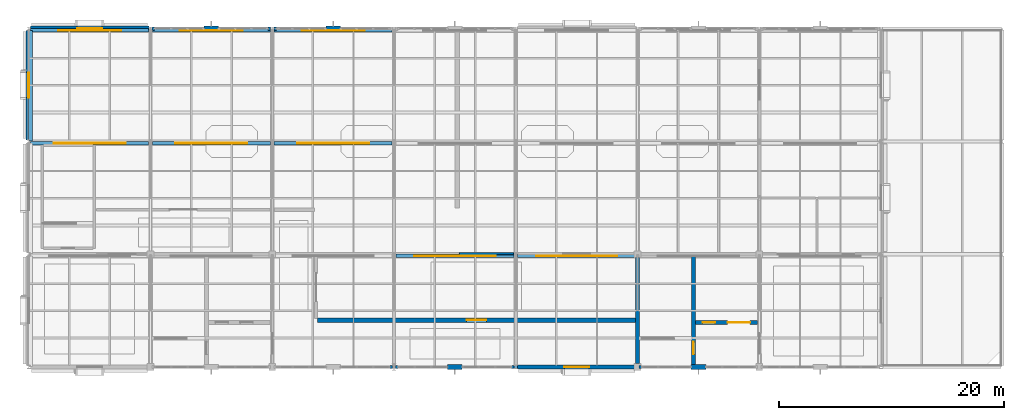
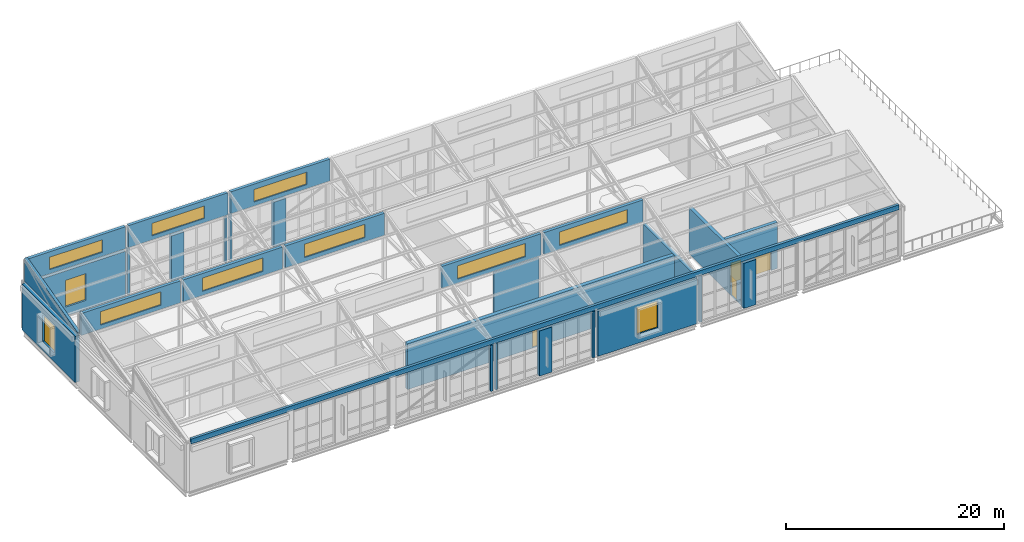
# One storey, part 40 of 49: 29 walls, 11 windows, 4 doors, 15 openings.
"""IFC4 building model written with IfcOpenShell, lengths in metres."""

from ifc_helpers import new_model, si_unit, direction, frame, frame_2d, origin, place, context, subcontext, project, spatial, polyline, rectangle, outline, extrude, material, layer, layer_set, type_object, element, fill, save


model = new_model("IFC4")

# Units and contexts
model_context = context("Model", 3, precision=1e-05, world=origin(), true_north=direction((0.0, 1.0)))
body_context = subcontext(model_context, "Body", "Model", "MODEL_VIEW")
ifc_project = project(units=[si_unit("LENGTHUNIT", "METRE"), si_unit("AREAUNIT", "SQUARE_METRE"), si_unit("VOLUMEUNIT", "CUBIC_METRE"), si_unit("PLANEANGLEUNIT", "RADIAN"), si_unit("MASSUNIT", "GRAM", prefix="KILO")], contexts=[model_context])

# Site, building, storey
site_placement = place(None, origin())
site = spatial("IfcSite", under=ifc_project, at=site_placement, CompositionType="ELEMENT")
building_placement = place(site_placement, origin())
building = spatial("IfcBuilding", under=site, at=building_placement, Name="Tasgan Crest Museum", CompositionType="ELEMENT")
storey_placement = place(building_placement, frame((0.0, 0.0, 28.800048828125)))
storey = spatial("IfcBuildingStorey", under=building, at=storey_placement, Name="L05", CompositionType="ELEMENT", Elevation=28.800048828125)

# Wall
ifc_material_1 = material(Name="Concrete C40/50", Category="concrete")
ifc_layer_1 = layer(ifc_material_1, 0.35009765625, Name="WL-CORE-350")
ifc_layer_set_1 = layer_set([ifc_layer_1], Name="Concrete C40/50")
wall_type_1 = type_object("IfcWallType", Name="WL-CORE-350", PredefinedType="SHEAR", material=ifc_layer_set_1)
wall_1_placement = place(storey_placement, frame((54.0, 82.300048828125, 0.0), z_axis=(0.0, 0.0, 1.0), x_axis=(0.0, 1.0, 0.0)))
element("IfcWall", 1, at=wall_1_placement, inside=storey, type_object=wall_type_1, Name="North-Central Sawtooth Core west shear wall L05", PredefinedType="SHEAR", context=body_context, shape_type="SweptSolid", body=[
    extrude(rectangle(XDim=9.39990234375, YDim=0.35009765625, at=frame_2d((4.699951171875, 0.0))), origin(), (0.0, 0.0, 1.0), 5.159912109375),
])

# Wall, opening, door
wall_2_placement = place(storey_placement, frame((58.949951171875, 82.219970703125, 0.0), z_axis=(0.0, 0.0, 1.0), x_axis=(0.0, 1.0, 0.0)))
wall_2 = element("IfcWall", 2, at=wall_2_placement, inside=storey, type_object=wall_type_1, Name="North-Central Sawtooth Core stair-lobby shear wall L05", PredefinedType="SHEAR", context=body_context, shape_type="SweptSolid", body=[
    extrude(rectangle(XDim=9.60498046875, YDim=0.35009765625, at=frame_2d((4.802490234375, 0.0))), origin(), (0.0, 0.0, 1.0), 5.159912109375),
])
opening_1_placement = place(wall_2_placement, frame((0.89990234375, 0.0, 0.0)))
opening_1 = element("IfcOpeningElement", 3, at=opening_1_placement, cuts=wall_2, Name="Opening SD-NC-L05", PredefinedType="OPENING", context=body_context, shape_type="SweptSolid", body=[
    extrude(rectangle(XDim=1.10009765625, YDim=2.199951171875, at=frame_2d((0.550048828125, 1.10009765625))), frame((0.0, 0.18505859375, 0.0), z_axis=(0.0, -1.0, 0.0), x_axis=(1.0, 0.0, 0.0)), (0.0, 0.0, 1.0), 0.3701171875),
])
ifc_material_2 = material(Name="Fire-Rated Steel Door", Category="steel")
door_type_1 = type_object("IfcDoorType", Name="DR-FD1-1100", OperationType="NOTDEFINED", PredefinedType="DOOR", material=ifc_material_2)
door_1_placement = place(opening_1_placement, origin())
door_1 = element("IfcDoor", 4, at=door_1_placement, inside=storey, type_object=door_type_1, Name="North-Central Sawtooth Core stair door L05", OperationType="SINGLE_SWING_RIGHT", OverallHeight=2.199951171875, OverallWidth=1.10009765625, PredefinedType="DOOR", context=body_context, shape_type="SweptSolid", body=[
    extrude(rectangle(XDim=1.10009765625, YDim=2.199951171875, at=frame_2d((0.550048828125, 1.10009765625))), frame((0.0, 0.02490234375, 0.0), z_axis=(0.0, -1.0, 0.0), x_axis=(1.0, 0.0, 0.0)), (0.0, 0.0, 1.0), 0.050048828125),
])
fill(opening_1, door_1)

# Wall, openings, doors
wall_3_placement = place(storey_placement, frame((59.1298828125, 85.949951171875, 0.0), z_axis=(0.0, 0.0, 1.0), x_axis=(1.0, 0.0, 0.0)))
wall_3 = element("IfcWall", 5, at=wall_3_placement, inside=storey, type_object=wall_type_1, Name="North-Central Sawtooth Core lift-shaft wall L05", PredefinedType="SHEAR", context=body_context, shape_type="SweptSolid", body=[
    extrude(rectangle(XDim=5.490234375, YDim=0.35009765625, at=frame_2d((2.7451171875, 0.0))), origin(), (0.0, 0.0, 1.0), 5.159912109375),
])
opening_2_placement = place(wall_3_placement, frame((0.64990234375, 0.0, 0.0)))
opening_2 = element("IfcOpeningElement", 6, at=opening_2_placement, cuts=wall_3, Name="Opening LD-FL2", PredefinedType="OPENING", context=body_context, shape_type="SweptSolid", body=[
    extrude(rectangle(XDim=1.10009765625, YDim=2.199951171875, at=frame_2d((0.550048828125, 1.10009765625))), frame((0.0, 0.18505859375, 0.0), z_axis=(0.0, -1.0, 0.0), x_axis=(1.0, 0.0, 0.0)), (0.0, 0.0, 1.0), 0.3701171875),
])
opening_3_placement = place(wall_3_placement, frame((2.85009765625, 0.0, 0.0)))
opening_3 = element("IfcOpeningElement", 7, at=opening_3_placement, cuts=wall_3, Name="Opening LD-GL1", PredefinedType="OPENING", context=body_context, shape_type="SweptSolid", body=[
    extrude(rectangle(XDim=2.0, YDim=2.5, at=frame_2d((1.0, 1.25))), frame((0.0, 0.18505859375, 0.0), z_axis=(0.0, -1.0, 0.0), x_axis=(1.0, 0.0, 0.0)), (0.0, 0.0, 1.0), 0.3701171875),
])
ifc_material_3 = material(Name="Stainless Steel Firefighting Lift Landing Door", Category="steel")
door_type_2 = type_object("IfcDoorType", Name="LD-FF-1100", OperationType="NOTDEFINED", PredefinedType="DOOR", material=ifc_material_3)
door_2_placement = place(opening_2_placement, origin())
door_2 = element("IfcDoor", 8, at=door_2_placement, inside=storey, type_object=door_type_2, Name="Firefighting lift landing door FL2 L05", OperationType="DOUBLE_DOOR_SLIDING", OverallHeight=2.199951171875, OverallWidth=1.10009765625, PredefinedType="DOOR", context=body_context, shape_type="SweptSolid", body=[
    extrude(rectangle(XDim=1.10009765625, YDim=2.199951171875, at=frame_2d((0.550048828125, 1.10009765625))), frame((0.0, 0.02490234375, 0.0), z_axis=(0.0, -1.0, 0.0), x_axis=(1.0, 0.0, 0.0)), (0.0, 0.0, 1.0), 0.050048828125),
])
fill(opening_2, door_2)
ifc_material_4 = material(Name="Heavy-Duty Bi-Parting Goods Lift Landing Door")
door_type_3 = type_object("IfcDoorType", Name="LD-GDS-2000", OperationType="NOTDEFINED", PredefinedType="DOOR", material=ifc_material_4)
door_3_placement = place(opening_3_placement, origin())
door_3 = element("IfcDoor", 9, at=door_3_placement, inside=storey, type_object=door_type_3, Name="Lift landing sliding door GL1 L05", OperationType="DOUBLE_DOOR_SLIDING", OverallHeight=2.5, OverallWidth=2.0, PredefinedType="DOOR", context=body_context, shape_type="SweptSolid", body=[
    extrude(rectangle(XDim=2.0, YDim=2.5, at=frame_2d((1.0, 1.25))), frame((0.0, 0.02490234375, 0.0), z_axis=(0.0, -1.0, 0.0), x_axis=(1.0, 0.0, 0.0)), (0.0, 0.0, 1.0), 0.050048828125),
])
fill(opening_3, door_3)

# Wall, opening, window
ifc_material_5 = material(Name="Precast concrete C40/50", Category="concrete")
ifc_layer_2 = layer(ifc_material_5, 0.3798828125, Name="WL-EXT-CANT-380")
ifc_layer_set_2 = layer_set([ifc_layer_2], Name="Precast concrete C40/50")
wall_type_2 = type_object("IfcWallType", Name="WL-EXT-CANT-380", PredefinedType="STANDARD", material=ifc_layer_set_2)
wall_4_placement = place(storey_placement, frame((43.344970703125, 82.0, 0.0), z_axis=(0.0, 0.0, 1.0), x_axis=(1.0, 0.0, 0.0)))
wall_4 = element("IfcWall", 10, at=wall_4_placement, inside=storey, type_object=wall_type_2, Name="Exterior wall L05 (48.6,82.0)", PredefinedType="STANDARD", context=body_context, shape_type="SweptSolid", body=[
    extrude(rectangle(XDim=10.510009765625, YDim=0.3798828125, at=frame_2d((5.2548828125, 0.0))), origin(), (0.0, 0.0, 1.0), 5.0439453125),
])
opening_4_placement = place(wall_4_placement, frame((4.155029296875, 0.0, 1.0)))
opening_4 = element("IfcOpeningElement", 11, at=opening_4_placement, cuts=wall_4, Name="Opening W10", PredefinedType="OPENING", context=body_context, shape_type="SweptSolid", body=[
    extrude(rectangle(XDim=2.199951171875, YDim=3.0, at=frame_2d((1.10009765625, 1.5))), frame((0.0, 0.199951171875, 0.0), z_axis=(0.0, -1.0, 0.0), x_axis=(1.0, 0.0, 0.0)), (0.0, 0.0, 1.0), 0.39990234375),
])
ifc_material_6 = material(Name="Thermally Broken Triple-Glazed Aluminium", Category="aluminium")
window_type_1 = type_object("IfcWindowType", Name="WN-GAL-SAW-2200X3000", PartitioningType="SINGLE_PANEL", PredefinedType="WINDOW", material=ifc_material_6)
window_1_placement = place(opening_4_placement, origin())
window_1 = element("IfcWindow", 12, at=window_1_placement, inside=storey, type_object=window_type_1, Name="Window W10 L05-076", OverallHeight=3.0, OverallWidth=2.199951171875, PartitioningType="SINGLE_PANEL", PredefinedType="WINDOW", context=body_context, shape_type="SweptSolid", body=[
    extrude(rectangle(XDim=2.199951171875, YDim=3.0, at=frame_2d((1.10009765625, 1.5))), frame((0.0, 0.030029296875, 0.0), z_axis=(0.0, -1.0, 0.0), x_axis=(1.0, 0.0, 0.0)), (0.0, 0.0, 1.0), 0.06005859375),
])
fill(opening_4, window_1)

# Walls
ifc_material_7 = material(Name="Precast concrete C40/50", Category="concrete")
ifc_layer_3 = layer(ifc_material_7, 0.320068359375, Name="WL-EXT-CLER-320")
ifc_layer_set_3 = layer_set([ifc_layer_3], Name="Precast concrete C40/50")
wall_type_3 = type_object("IfcWallType", Name="WL-EXT-CLER-320", PredefinedType="STANDARD", material=ifc_layer_set_3)
wall_5_placement = place(storey_placement, frame((21.969970703125, 112.0, 0.0), z_axis=(0.0, 0.0, 1.0), x_axis=(-1.0, 0.0, 0.0)))
element("IfcWall", 13, at=wall_5_placement, inside=storey, type_object=wall_type_3, Name="Curtain wall jamb closure L05 JR", PredefinedType="STANDARD", context=body_context, shape_type="SweptSolid", body=[
    extrude(rectangle(XDim=0.224853515625, YDim=0.300048828125, at=frame_2d((0.1123046875, 0.0))), origin(), (0.0, 0.0, 1.0), 5.159912109375),
])
wall_6_placement = place(storey_placement, frame((21.455078125, 112.0, 0.0), z_axis=(0.0, 0.0, 1.0), x_axis=(-1.0, 0.0, 0.0)))
element("IfcWall", 14, at=wall_6_placement, inside=storey, type_object=wall_type_3, Name="Curtain wall jamb closure L05 JL", PredefinedType="STANDARD", context=body_context, shape_type="SweptSolid", body=[
    extrude(rectangle(XDim=0.22509765625, YDim=0.300048828125, at=frame_2d((0.112548828125, 0.0))), origin(), (0.0, 0.0, 1.0), 5.159912109375),
])
for number, where, z_axis, x_axis, name in (
    (15, (11.169921875, 112.0, 0.0), (0.0, 0.0, 1.0), (-1.0, 0.0, 0.0), "Curtain wall jamb closure L05 JR"),
    (16, (32.030029296875, 82.0, 0.0), (0.0, 0.0, 1.0), (1.0, 0.0, 0.0), "Curtain wall jamb closure L05 JR"),
):
    element("IfcWall", number, at=place(storey_placement, frame(where, z_axis=z_axis, x_axis=x_axis)), inside=storey, type_object=wall_type_3, Name=name, PredefinedType="STANDARD", context=body_context, shape_type="SweptSolid", body=[
        extrude(rectangle(XDim=0.224853515625, YDim=0.300048828125, at=frame_2d((0.1123046875, 0.0))), origin(), (0.0, 0.0, 1.0), 5.159912109375),
    ])
wall_7_placement = place(storey_placement, frame((32.544921875, 82.0, 0.0), z_axis=(0.0, 0.0, 1.0), x_axis=(1.0, 0.0, 0.0)))
element("IfcWall", 17, at=wall_7_placement, inside=storey, type_object=wall_type_3, Name="Curtain wall jamb closure L05 JL", PredefinedType="STANDARD", context=body_context, shape_type="SweptSolid", body=[
    extrude(rectangle(XDim=0.22509765625, YDim=0.300048828125, at=frame_2d((0.112548828125, 0.0))), origin(), (0.0, 0.0, 1.0), 5.159912109375),
])
wall_8_placement = place(storey_placement, frame((42.830078125, 82.0, 0.0), z_axis=(0.0, 0.0, 1.0), x_axis=(1.0, 0.0, 0.0)))
element("IfcWall", 18, at=wall_8_placement, inside=storey, type_object=wall_type_3, Name="Curtain wall jamb closure L05 JR", PredefinedType="STANDARD", context=body_context, shape_type="SweptSolid", body=[
    extrude(rectangle(XDim=0.224853515625, YDim=0.300048828125, at=frame_2d((0.1123046875, 0.0))), origin(), (0.0, 0.0, 1.0), 5.159912109375),
])
wall_9_placement = place(storey_placement, frame((54.14501953125, 82.0, 0.0), z_axis=(0.0, 0.0, 1.0), x_axis=(1.0, 0.0, 0.0)))
element("IfcWall", 19, at=wall_9_placement, inside=storey, type_object=wall_type_3, Name="Curtain wall jamb closure L05 JL", PredefinedType="STANDARD", context=body_context, shape_type="SweptSolid", body=[
    extrude(rectangle(XDim=0.22509765625, YDim=0.300048828125, at=frame_2d((0.112548828125, 0.0))), origin(), (0.0, 0.0, 1.0), 5.159912109375),
])

# Wall, opening, window
wall_10_placement = place(storey_placement, frame((32.56005859375, 91.85009765625, 5.39990234375), z_axis=(0.0, 0.0, 1.0), x_axis=(1.0, 0.0, 0.0)))
wall_10 = element("IfcWall", 20, at=wall_10_placement, inside=storey, type_object=wall_type_3, Name="Sawtooth north clerestory wall B1 32.4-43.2", PredefinedType="STANDARD", context=body_context, shape_type="SweptSolid", body=[
    extrude(rectangle(XDim=10.47998046875, YDim=0.320068359375, at=frame_2d((5.239990234375, 0.0))), origin(), (0.0, 0.0, 1.0), 2.449951171875),
])
opening_5_placement = place(wall_10_placement, frame((1.639892578125, 0.0, 0.449951171875)))
opening_5 = element("IfcOpeningElement", 21, at=opening_5_placement, cuts=wall_10, Name="Opening RL01", PredefinedType="OPENING", context=body_context, shape_type="SweptSolid", body=[
    extrude(rectangle(XDim=7.199951171875, YDim=1.5, at=frame_2d((3.60009765625, 0.75))), frame((0.0, 0.169921875, 0.0), z_axis=(0.0, -1.0, 0.0), x_axis=(1.0, 0.0, 0.0)), (0.0, 0.0, 1.0), 0.340087890625),
])
ifc_material_8 = material(Name="Thermally Broken Triple-Glazed Aluminium", Category="aluminium")
window_type_2 = type_object("IfcWindowType", Name="RF-SAW-7200X1500", PartitioningType="SINGLE_PANEL", PredefinedType="SKYLIGHT", material=ifc_material_8)
window_2_placement = place(opening_5_placement, origin())
window_2 = element("IfcWindow", 22, at=window_2_placement, inside=storey, type_object=window_type_2, Name="Rooflight RL-04", OverallHeight=1.5, OverallWidth=7.199951171875, PartitioningType="SINGLE_PANEL", PredefinedType="SKYLIGHT", context=body_context, shape_type="SweptSolid", body=[
    extrude(rectangle(XDim=7.199951171875, YDim=1.5, at=frame_2d((3.60009765625, 0.75))), frame((0.0, 0.030029296875, 0.0), z_axis=(0.0, -1.0, 0.0), x_axis=(1.0, 0.0, 0.0)), (0.0, 0.0, 1.0), 0.06005859375),
])
fill(opening_5, window_2)

wall_11_placement = place(storey_placement, frame((43.360107421875, 91.85009765625, 5.39990234375), z_axis=(0.0, 0.0, 1.0), x_axis=(1.0, 0.0, 0.0)))
wall_11 = element("IfcWall", 23, at=wall_11_placement, inside=storey, type_object=wall_type_3, Name="Sawtooth north clerestory wall B1 43.2-54.0", PredefinedType="STANDARD", context=body_context, shape_type="SweptSolid", body=[
    extrude(rectangle(XDim=10.47998046875, YDim=0.320068359375, at=frame_2d((5.239990234375, 0.0))), origin(), (0.0, 0.0, 1.0), 2.449951171875),
])
opening_6_placement = place(wall_11_placement, frame((1.639892578125, 0.0, 0.449951171875)))
opening_6 = element("IfcOpeningElement", 24, at=opening_6_placement, cuts=wall_11, Name="Opening RL01", PredefinedType="OPENING", context=body_context, shape_type="SweptSolid", body=[
    extrude(rectangle(XDim=7.199951171875, YDim=1.5, at=frame_2d((3.60009765625, 0.75))), frame((0.0, 0.169921875, 0.0), z_axis=(0.0, -1.0, 0.0), x_axis=(1.0, 0.0, 0.0)), (0.0, 0.0, 1.0), 0.340087890625),
])
window_3_placement = place(opening_6_placement, origin())
window_3 = element("IfcWindow", 25, at=window_3_placement, inside=storey, type_object=window_type_2, Name="Rooflight RL-05", OverallHeight=1.5, OverallWidth=7.199951171875, PartitioningType="SINGLE_PANEL", PredefinedType="SKYLIGHT", context=body_context, shape_type="SweptSolid", body=[
    extrude(rectangle(XDim=7.199951171875, YDim=1.5, at=frame_2d((3.60009765625, 0.75))), frame((0.0, 0.030029296875, 0.0), z_axis=(0.0, -1.0, 0.0), x_axis=(1.0, 0.0, 0.0)), (0.0, 0.0, 1.0), 0.06005859375),
])
fill(opening_6, window_3)

wall_12_placement = place(storey_placement, frame((0.159912109375, 101.85009765625, 5.39990234375), z_axis=(0.0, 0.0, 1.0), x_axis=(1.0, 0.0, 0.0)))
wall_12 = element("IfcWall", 26, at=wall_12_placement, inside=storey, type_object=wall_type_3, Name="Sawtooth north clerestory wall B2 0.0-10.8", PredefinedType="STANDARD", context=body_context, shape_type="SweptSolid", body=[
    extrude(rectangle(XDim=10.47998046875, YDim=0.320068359375, at=frame_2d((5.239990234375, 0.0))), origin(), (0.0, 0.0, 1.0), 2.449951171875),
])
opening_7_placement = place(wall_12_placement, frame((2.0400390625, 0.0, 0.449951171875)))
opening_7 = element("IfcOpeningElement", 27, at=opening_7_placement, cuts=wall_12, Name="Opening RL02", PredefinedType="OPENING", context=body_context, shape_type="SweptSolid", body=[
    extrude(rectangle(XDim=6.39990234375, YDim=1.5, at=frame_2d((3.199951171875, 0.75))), frame((0.0, 0.169921875, 0.0), z_axis=(0.0, -1.0, 0.0), x_axis=(1.0, 0.0, 0.0)), (0.0, 0.0, 1.0), 0.340087890625),
])
ifc_material_9 = material(Name="Thermally Broken Triple-Glazed Aluminium", Category="aluminium")
window_type_3 = type_object("IfcWindowType", Name="RF-SAW-6400X1500", PartitioningType="SINGLE_PANEL", PredefinedType="SKYLIGHT", material=ifc_material_9)
window_4_placement = place(opening_7_placement, origin())
window_4 = element("IfcWindow", 28, at=window_4_placement, inside=storey, type_object=window_type_3, Name="Rooflight RL-08", OverallHeight=1.5, OverallWidth=6.39990234375, PartitioningType="SINGLE_PANEL", PredefinedType="SKYLIGHT", context=body_context, shape_type="SweptSolid", body=[
    extrude(rectangle(XDim=6.39990234375, YDim=1.5, at=frame_2d((3.199951171875, 0.75))), frame((0.0, 0.030029296875, 0.0), z_axis=(0.0, -1.0, 0.0), x_axis=(1.0, 0.0, 0.0)), (0.0, 0.0, 1.0), 0.06005859375),
])
fill(opening_7, window_4)

wall_13_placement = place(storey_placement, frame((10.9599609375, 101.85009765625, 5.39990234375), z_axis=(0.0, 0.0, 1.0), x_axis=(1.0, 0.0, 0.0)))
wall_13 = element("IfcWall", 29, at=wall_13_placement, inside=storey, type_object=wall_type_3, Name="Sawtooth north clerestory wall B2 10.8-21.6", PredefinedType="STANDARD", context=body_context, shape_type="SweptSolid", body=[
    extrude(rectangle(XDim=10.47998046875, YDim=0.320068359375, at=frame_2d((5.239990234375, 0.0))), origin(), (0.0, 0.0, 1.0), 2.449951171875),
])
opening_8_placement = place(wall_13_placement, frame((2.0400390625, 0.0, 0.449951171875)))
opening_8 = element("IfcOpeningElement", 30, at=opening_8_placement, cuts=wall_13, Name="Opening RL02", PredefinedType="OPENING", context=body_context, shape_type="SweptSolid", body=[
    extrude(rectangle(XDim=6.39990234375, YDim=1.5, at=frame_2d((3.199951171875, 0.75))), frame((0.0, 0.169921875, 0.0), z_axis=(0.0, -1.0, 0.0), x_axis=(1.0, 0.0, 0.0)), (0.0, 0.0, 1.0), 0.340087890625),
])
window_5_placement = place(opening_8_placement, origin())
window_5 = element("IfcWindow", 31, at=window_5_placement, inside=storey, type_object=window_type_3, Name="Rooflight RL-09", OverallHeight=1.5, OverallWidth=6.39990234375, PartitioningType="SINGLE_PANEL", PredefinedType="SKYLIGHT", context=body_context, shape_type="SweptSolid", body=[
    extrude(rectangle(XDim=6.39990234375, YDim=1.5, at=frame_2d((3.199951171875, 0.75))), frame((0.0, 0.030029296875, 0.0), z_axis=(0.0, -1.0, 0.0), x_axis=(1.0, 0.0, 0.0)), (0.0, 0.0, 1.0), 0.06005859375),
])
fill(opening_8, window_5)

wall_14_placement = place(storey_placement, frame((21.760009765625, 101.85009765625, 5.39990234375), z_axis=(0.0, 0.0, 1.0), x_axis=(1.0, 0.0, 0.0)))
wall_14 = element("IfcWall", 32, at=wall_14_placement, inside=storey, type_object=wall_type_3, Name="Sawtooth north clerestory wall B2 21.6-32.4", PredefinedType="STANDARD", context=body_context, shape_type="SweptSolid", body=[
    extrude(rectangle(XDim=10.47998046875, YDim=0.320068359375, at=frame_2d((5.239990234375, 0.0))), origin(), (0.0, 0.0, 1.0), 2.449951171875),
])
opening_9_placement = place(wall_14_placement, frame((2.0400390625, 0.0, 0.449951171875)))
opening_9 = element("IfcOpeningElement", 33, at=opening_9_placement, cuts=wall_14, Name="Opening RL02", PredefinedType="OPENING", context=body_context, shape_type="SweptSolid", body=[
    extrude(rectangle(XDim=6.39990234375, YDim=1.5, at=frame_2d((3.199951171875, 0.75))), frame((0.0, 0.169921875, 0.0), z_axis=(0.0, -1.0, 0.0), x_axis=(1.0, 0.0, 0.0)), (0.0, 0.0, 1.0), 0.340087890625),
])
window_6_placement = place(opening_9_placement, origin())
window_6 = element("IfcWindow", 34, at=window_6_placement, inside=storey, type_object=window_type_3, Name="Rooflight RL-10", OverallHeight=1.5, OverallWidth=6.39990234375, PartitioningType="SINGLE_PANEL", PredefinedType="SKYLIGHT", context=body_context, shape_type="SweptSolid", body=[
    extrude(rectangle(XDim=6.39990234375, YDim=1.5, at=frame_2d((3.199951171875, 0.75))), frame((0.0, 0.030029296875, 0.0), z_axis=(0.0, -1.0, 0.0), x_axis=(1.0, 0.0, 0.0)), (0.0, 0.0, 1.0), 0.06005859375),
])
fill(opening_9, window_6)

wall_15_placement = place(storey_placement, frame((0.159912109375, 111.85009765625, 5.39990234375), z_axis=(0.0, 0.0, 1.0), x_axis=(1.0, 0.0, 0.0)))
wall_15 = element("IfcWall", 35, at=wall_15_placement, inside=storey, type_object=wall_type_3, Name="Sawtooth north clerestory wall B3 0.0-10.8", PredefinedType="STANDARD", context=body_context, shape_type="SweptSolid", body=[
    extrude(rectangle(XDim=10.47998046875, YDim=0.320068359375, at=frame_2d((5.239990234375, 0.0))), origin(), (0.0, 0.0, 1.0), 2.449951171875),
])
opening_10_placement = place(wall_15_placement, frame((2.43994140625, 0.0, 0.449951171875)))
opening_10 = element("IfcOpeningElement", 36, at=opening_10_placement, cuts=wall_15, Name="Opening RL03", PredefinedType="OPENING", context=body_context, shape_type="SweptSolid", body=[
    extrude(rectangle(XDim=5.60009765625, YDim=1.39990234375, at=frame_2d((2.800048828125, 0.699951171875))), frame((0.0, 0.169921875, 0.0), z_axis=(0.0, -1.0, 0.0), x_axis=(1.0, 0.0, 0.0)), (0.0, 0.0, 1.0), 0.340087890625),
])
ifc_material_10 = material(Name="Thermally Broken Triple-Glazed Aluminium", Category="aluminium")
window_type_4 = type_object("IfcWindowType", Name="RF-SAW-5600X1400", PartitioningType="SINGLE_PANEL", PredefinedType="SKYLIGHT", material=ifc_material_10)
window_7_placement = place(opening_10_placement, origin())
window_7 = element("IfcWindow", 37, at=window_7_placement, inside=storey, type_object=window_type_4, Name="Rooflight RL-15", OverallHeight=1.39990234375, OverallWidth=5.60009765625, PartitioningType="SINGLE_PANEL", PredefinedType="SKYLIGHT", context=body_context, shape_type="SweptSolid", body=[
    extrude(rectangle(XDim=5.60009765625, YDim=1.39990234375, at=frame_2d((2.800048828125, 0.699951171875))), frame((0.0, 0.030029296875, 0.0), z_axis=(0.0, -1.0, 0.0), x_axis=(1.0, 0.0, 0.0)), (0.0, 0.0, 1.0), 0.06005859375),
])
fill(opening_10, window_7)

wall_16_placement = place(storey_placement, frame((10.9599609375, 111.85009765625, 5.39990234375), z_axis=(0.0, 0.0, 1.0), x_axis=(1.0, 0.0, 0.0)))
wall_16 = element("IfcWall", 38, at=wall_16_placement, inside=storey, type_object=wall_type_3, Name="Sawtooth north clerestory wall B3 10.8-21.6", PredefinedType="STANDARD", context=body_context, shape_type="SweptSolid", body=[
    extrude(rectangle(XDim=10.47998046875, YDim=0.320068359375, at=frame_2d((5.239990234375, 0.0))), origin(), (0.0, 0.0, 1.0), 2.449951171875),
])
opening_11_placement = place(wall_16_placement, frame((2.43994140625, 0.0, 0.449951171875)))
opening_11 = element("IfcOpeningElement", 39, at=opening_11_placement, cuts=wall_16, Name="Opening RL03", PredefinedType="OPENING", context=body_context, shape_type="SweptSolid", body=[
    extrude(rectangle(XDim=5.60009765625, YDim=1.39990234375, at=frame_2d((2.800048828125, 0.699951171875))), frame((0.0, 0.169921875, 0.0), z_axis=(0.0, -1.0, 0.0), x_axis=(1.0, 0.0, 0.0)), (0.0, 0.0, 1.0), 0.340087890625),
])
window_8_placement = place(opening_11_placement, origin())
window_8 = element("IfcWindow", 40, at=window_8_placement, inside=storey, type_object=window_type_4, Name="Rooflight RL-16", OverallHeight=1.39990234375, OverallWidth=5.60009765625, PartitioningType="SINGLE_PANEL", PredefinedType="SKYLIGHT", context=body_context, shape_type="SweptSolid", body=[
    extrude(rectangle(XDim=5.60009765625, YDim=1.39990234375, at=frame_2d((2.800048828125, 0.699951171875))), frame((0.0, 0.030029296875, 0.0), z_axis=(0.0, -1.0, 0.0), x_axis=(1.0, 0.0, 0.0)), (0.0, 0.0, 1.0), 0.06005859375),
])
fill(opening_11, window_8)

wall_17_placement = place(storey_placement, frame((21.760009765625, 111.85009765625, 5.39990234375), z_axis=(0.0, 0.0, 1.0), x_axis=(1.0, 0.0, 0.0)))
wall_17 = element("IfcWall", 41, at=wall_17_placement, inside=storey, type_object=wall_type_3, Name="Sawtooth north clerestory wall B3 21.6-32.4", PredefinedType="STANDARD", context=body_context, shape_type="SweptSolid", body=[
    extrude(rectangle(XDim=10.47998046875, YDim=0.320068359375, at=frame_2d((5.239990234375, 0.0))), origin(), (0.0, 0.0, 1.0), 2.449951171875),
])
opening_12_placement = place(wall_17_placement, frame((2.43994140625, 0.0, 0.449951171875)))
opening_12 = element("IfcOpeningElement", 42, at=opening_12_placement, cuts=wall_17, Name="Opening RL03", PredefinedType="OPENING", context=body_context, shape_type="SweptSolid", body=[
    extrude(rectangle(XDim=5.60009765625, YDim=1.39990234375, at=frame_2d((2.800048828125, 0.699951171875))), frame((0.0, 0.169921875, 0.0), z_axis=(0.0, -1.0, 0.0), x_axis=(1.0, 0.0, 0.0)), (0.0, 0.0, 1.0), 0.340087890625),
])
window_9_placement = place(opening_12_placement, origin())
window_9 = element("IfcWindow", 43, at=window_9_placement, inside=storey, type_object=window_type_4, Name="Rooflight RL-17", OverallHeight=1.39990234375, OverallWidth=5.60009765625, PartitioningType="SINGLE_PANEL", PredefinedType="SKYLIGHT", context=body_context, shape_type="SweptSolid", body=[
    extrude(rectangle(XDim=5.60009765625, YDim=1.39990234375, at=frame_2d((2.800048828125, 0.699951171875))), frame((0.0, 0.030029296875, 0.0), z_axis=(0.0, -1.0, 0.0), x_axis=(1.0, 0.0, 0.0)), (0.0, 0.0, 1.0), 0.06005859375),
])
fill(opening_12, window_9)

# Walls
wall_18_placement = place(storey_placement, frame((0.159912109375, 102.050048828125, 5.39990234375), z_axis=(0.0, 0.0, 1.0), x_axis=(0.0, 1.0, 0.0)))
element("IfcWall", 44, at=wall_18_placement, inside=storey, type_object=wall_type_3, Name="Sawtooth gable wall B3 W", PredefinedType="STANDARD", context=body_context, shape_type="SweptSolid", body=[
    extrude(outline(polyline([(0.0, 0.0), (9.800048828125, 0.0), (9.800048828125, 2.550048828125), (0.0, 0.150146484375), (0.0, 0.0)])), frame((0.0, 0.16015625, 0.0), z_axis=(0.0, -1.0, 0.0), x_axis=(1.0, 0.0, 0.0)), (0.0, 0.0, 1.0), 0.320068359375),
])
ifc_material_11 = material(Name="Precast concrete C40/50", Category="concrete")
ifc_layer_4 = layer(ifc_material_11, 0.47998046875, Name="WL-EXT-GRAN-480")
ifc_layer_set_4 = layer_set([ifc_layer_4], Name="Precast concrete C40/50")
wall_type_4 = type_object("IfcWallType", Name="WL-EXT-GRAN-480", PredefinedType="STANDARD", material=ifc_layer_set_4)
wall_19_placement = place(storey_placement, frame((27.64990234375, 112.0, 0.0), z_axis=(0.0, 0.0, 1.0), x_axis=(-1.0, 0.0, 0.0)))
element("IfcWall", 45, at=wall_19_placement, inside=storey, type_object=wall_type_4, Name="Postmodern facade stone pier L05", PredefinedType="STANDARD", context=body_context, shape_type="SweptSolid", body=[
    extrude(rectangle(XDim=1.2998046875, YDim=0.47998046875, at=frame_2d((0.64990234375, 0.0))), origin(), (0.0, 0.0, 1.0), 5.0439453125),
])
for number, where, z_axis, x_axis, name in (
    (46, (16.85009765625, 112.0, 0.0), (0.0, 0.0, 1.0), (-1.0, 0.0, 0.0), "Postmodern facade stone pier L05"),
    (47, (37.14990234375, 82.0, 0.0), (0.0, 0.0, 1.0), (1.0, 0.0, 0.0), "Postmodern facade stone pier L05"),
    (48, (58.75, 82.0, 0.0), (0.0, 0.0, 1.0), (1.0, 0.0, 0.0), "Postmodern facade stone pier L05"),
):
    element("IfcWall", number, at=place(storey_placement, frame(where, z_axis=z_axis, x_axis=x_axis)), inside=storey, type_object=wall_type_4, Name=name, PredefinedType="STANDARD", context=body_context, shape_type="SweptSolid", body=[
        extrude(rectangle(XDim=1.300048828125, YDim=0.47998046875, at=frame_2d((0.64990234375, 0.0))), origin(), (0.0, 0.0, 1.0), 5.0439453125),
    ])

# Wall, opening, window
ifc_material_12 = material(Name="Precast concrete C40/50", Category="concrete")
ifc_layer_5 = layer(ifc_material_12, 0.449951171875, Name="WL-EXT-LIME-450")
ifc_layer_set_5 = layer_set([ifc_layer_5], Name="Precast concrete C40/50")
wall_type_5 = type_object("IfcWallType", Name="WL-EXT-LIME-450", PredefinedType="STANDARD", material=ifc_layer_set_5)
wall_20_placement = place(storey_placement, frame((10.655029296875, 112.0, 0.0), z_axis=(0.0, 0.0, 1.0), x_axis=(-1.0, 0.0, 0.0)))
wall_20 = element("IfcWall", 49, at=wall_20_placement, inside=storey, type_object=wall_type_5, Name="Exterior wall L05 (5.4,112.0)", PredefinedType="STANDARD", context=body_context, shape_type="SweptSolid", body=[
    extrude(rectangle(XDim=10.510009765625, YDim=0.449951171875, at=frame_2d((5.2548828125, 0.0))), origin(), (0.0, 0.0, 1.0), 5.0439453125),
])
opening_13_placement = place(wall_20_placement, frame((4.155029296875, 0.0, 1.0)))
opening_13 = element("IfcOpeningElement", 50, at=opening_13_placement, cuts=wall_20, Name="Opening W10", PredefinedType="OPENING", context=body_context, shape_type="SweptSolid", body=[
    extrude(rectangle(XDim=2.199951171875, YDim=3.0, at=frame_2d((1.10009765625, 1.5))), frame((0.0, 0.23486328125, 0.0), z_axis=(0.0, -1.0, 0.0), x_axis=(1.0, 0.0, 0.0)), (0.0, 0.0, 1.0), 0.469970703125),
])
window_10_placement = place(opening_13_placement, origin())
window_10 = element("IfcWindow", 51, at=window_10_placement, inside=storey, type_object=window_type_1, Name="Window W10 L05-071", OverallHeight=3.0, OverallWidth=2.199951171875, PartitioningType="SINGLE_PANEL", PredefinedType="WINDOW", context=body_context, shape_type="SweptSolid", body=[
    extrude(rectangle(XDim=2.199951171875, YDim=3.0, at=frame_2d((1.10009765625, 1.5))), frame((0.0, 0.030029296875, 0.0), z_axis=(0.0, -1.0, 0.0), x_axis=(1.0, 0.0, 0.0)), (0.0, 0.0, 1.0), 0.06005859375),
])
fill(opening_13, window_10)

wall_21_placement = place(storey_placement, frame((0.0, 111.85498046875, 0.0), z_axis=(0.0, 0.0, 1.0), x_axis=(0.0, -1.0, 0.0)))
wall_21 = element("IfcWall", 52, at=wall_21_placement, inside=storey, type_object=wall_type_5, Name="Exterior wall L05 (0.0,107.0)", PredefinedType="STANDARD", context=body_context, shape_type="SweptSolid", body=[
    extrude(rectangle(XDim=9.7099609375, YDim=0.449951171875, at=frame_2d((4.85498046875, 0.0))), origin(), (0.0, 0.0, 1.0), 5.159912109375),
])
opening_14_placement = place(wall_21_placement, frame((3.7548828125, 0.0, 1.0)))
opening_14 = element("IfcOpeningElement", 53, at=opening_14_placement, cuts=wall_21, Name="Opening W10", PredefinedType="OPENING", context=body_context, shape_type="SweptSolid", body=[
    extrude(rectangle(XDim=2.199951171875, YDim=3.0, at=frame_2d((1.10009765625, 1.5))), frame((0.0, 0.23486328125, 0.0), z_axis=(0.0, -1.0, 0.0), x_axis=(1.0, 0.0, 0.0)), (0.0, 0.0, 1.0), 0.469970703125),
])
window_11_placement = place(opening_14_placement, origin())
window_11 = element("IfcWindow", 54, at=window_11_placement, inside=storey, type_object=window_type_1, Name="Window W10 L05-072", OverallHeight=3.0, OverallWidth=2.199951171875, PartitioningType="SINGLE_PANEL", PredefinedType="WINDOW", context=body_context, shape_type="SweptSolid", body=[
    extrude(rectangle(XDim=2.199951171875, YDim=3.0, at=frame_2d((1.10009765625, 1.5))), frame((0.0, 0.030029296875, 0.0), z_axis=(0.0, -1.0, 0.0), x_axis=(1.0, 0.0, 0.0)), (0.0, 0.0, 1.0), 0.06005859375),
])
fill(opening_14, window_11)

# Walls
ifc_material_13 = material(Name="Precast concrete C40/50", Category="concrete")
ifc_layer_6 = layer(ifc_material_13, 0.260009765625, Name="WL-PARAPET-260")
ifc_layer_set_6 = layer_set([ifc_layer_6], Name="Precast concrete C40/50")
wall_type_6 = type_object("IfcWallType", Name="WL-PARAPET-260", PredefinedType="PARAPET", material=ifc_layer_set_6)
wall_22_placement = place(storey_placement, frame((0.35009765625, 82.0, 5.219970703125), z_axis=(0.0, 0.0, 1.0), x_axis=(1.0, 0.0, 0.0)))
element("IfcWall", 55, at=wall_22_placement, inside=storey, type_object=wall_type_6, Name="Roof parapet L05 SAW-S", PredefinedType="PARAPET", context=body_context, shape_type="SweptSolid", body=[
    extrude(rectangle(XDim=74.89990234375, YDim=0.260009765625, at=frame_2d((37.449951171875, 0.0))), origin(), (0.0, 0.0, 1.0), 0.550048828125),
])
ifc_material_14 = material(Name="Gypsum Acoustic Museum Partition")
ifc_layer_7 = layer(ifc_material_14, 0.169921875, Name="WL-SCH-04")
ifc_layer_set_7 = layer_set([ifc_layer_7], Name="Gypsum Acoustic Museum Partition")
wall_type_7 = type_object("IfcWallType", Name="WL-SCH-04", PredefinedType="PARTITIONING", material=ifc_layer_set_7)
wall_23_placement = place(storey_placement, frame((38.199951171875, 92.050048828125, 0.0), z_axis=(0.0, 0.0, 1.0), x_axis=(1.0, 0.0, 0.0)))
element("IfcWall", 56, at=wall_23_placement, inside=storey, type_object=wall_type_7, Name="Partition Crest Sky Sculpture Gallery / East Top-Lit Sawtooth Steppe Climate Gallery L05", PredefinedType="PARTITIONING", context=body_context, shape_type="SweptSolid", body=[
    extrude(rectangle(XDim=4.800048828125, YDim=0.169921875, at=frame_2d((2.39990234375, 0.0))), origin(), (0.0, 0.0, 1.0), 5.0439453125),
])

# Wall, opening, door
ifc_material_15 = material(Name="Gypsum Acoustic Museum Partition")
ifc_layer_8 = layer(ifc_material_15, 0.409912109375, Name="WL-SCH-14")
ifc_layer_set_8 = layer_set([ifc_layer_8], Name="Gypsum Acoustic Museum Partition")
wall_type_8 = type_object("IfcWallType", Name="WL-SCH-14", PredefinedType="PARTITIONING", material=ifc_layer_set_8)
wall_24_placement = place(storey_placement, frame((25.60009765625, 86.14990234375, 0.0), z_axis=(0.0, 0.0, 1.0), x_axis=(1.0, 0.0, 0.0)))
wall_24 = element("IfcWall", 57, at=wall_24_placement, inside=storey, type_object=wall_type_8, Name="Partition Fifth Floor Sawtooth Gallery Promenade / Crest Sky Sculpture Gallery L05", PredefinedType="PARTITIONING", context=body_context, shape_type="SweptSolid", body=[
    extrude(rectangle(XDim=28.219970703125, YDim=0.409912109375, at=frame_2d((14.10986328125, 0.0))), origin(), (0.0, 0.0, 1.0), 5.119873046875),
])
opening_15_placement = place(wall_24_placement, frame((13.235107421875, 0.0, 0.0)))
opening_15 = element("IfcOpeningElement", 58, at=opening_15_placement, cuts=wall_24, Name="Opening D096", PredefinedType="OPENING", context=body_context, shape_type="SweptSolid", body=[
    extrude(rectangle(XDim=1.75, YDim=2.449951171875, at=frame_2d((0.875, 1.22509765625))), frame((0.0, 0.21484375, 0.0), z_axis=(0.0, -1.0, 0.0), x_axis=(1.0, 0.0, 0.0)), (0.0, 0.0, 1.0), 0.429931640625),
])
ifc_material_16 = material(Name="Oak and Brushed Bronze Acoustic Door")
door_type_4 = type_object("IfcDoorType", Name="DR-SCH-12", OperationType="NOTDEFINED", PredefinedType="DOOR", material=ifc_material_16)
door_4_placement = place(opening_15_placement, origin())
door_4 = element("IfcDoor", 59, at=door_4_placement, inside=storey, type_object=door_type_4, Name="Crest Sky Sculpture Gallery door D096", OperationType="SINGLE_SWING_RIGHT", OverallHeight=2.449951171875, OverallWidth=1.75, PredefinedType="DOOR", context=body_context, shape_type="SweptSolid", body=[
    extrude(rectangle(XDim=1.75, YDim=2.449951171875, at=frame_2d((0.875, 1.22509765625))), frame((0.0, 0.02490234375, 0.0), z_axis=(0.0, -1.0, 0.0), x_axis=(1.0, 0.0, 0.0)), (0.0, 0.0, 1.0), 0.050048828125),
])
fill(opening_15, door_4)

save(model, "model.ifc")
